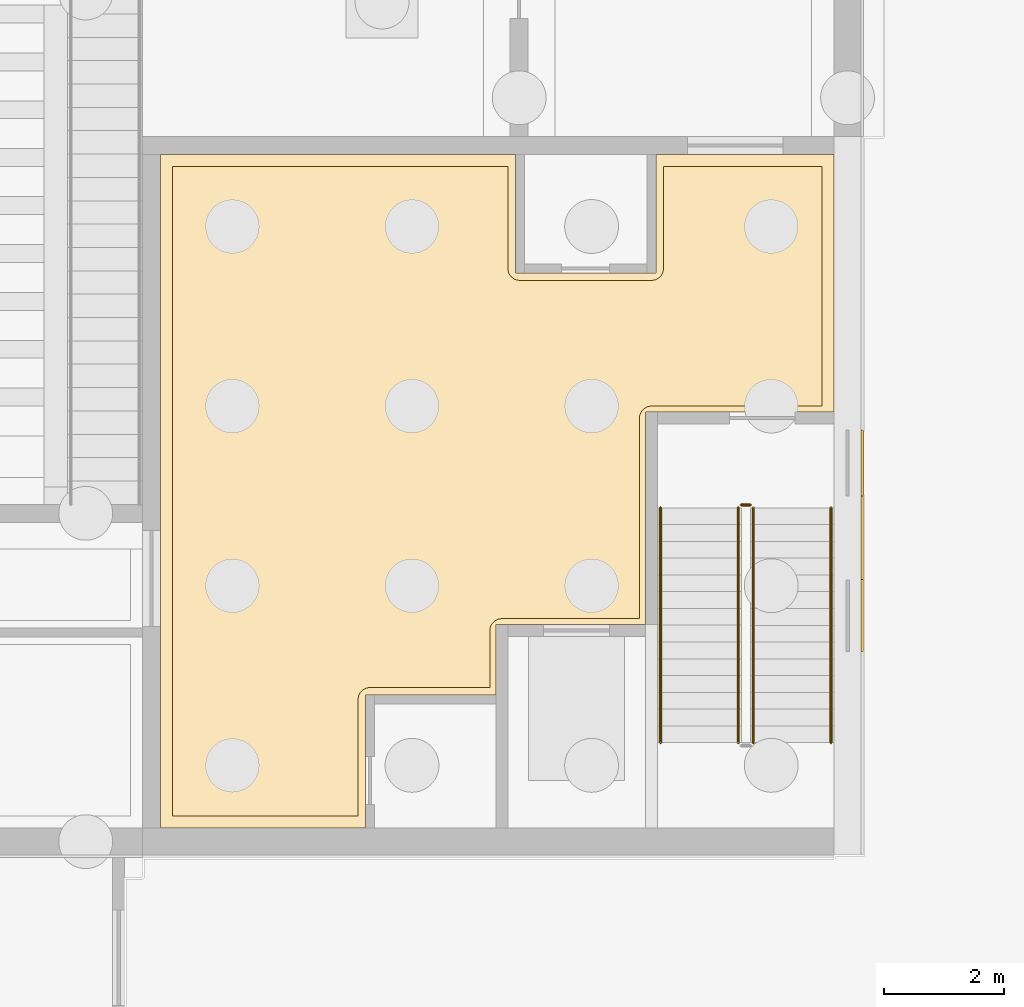
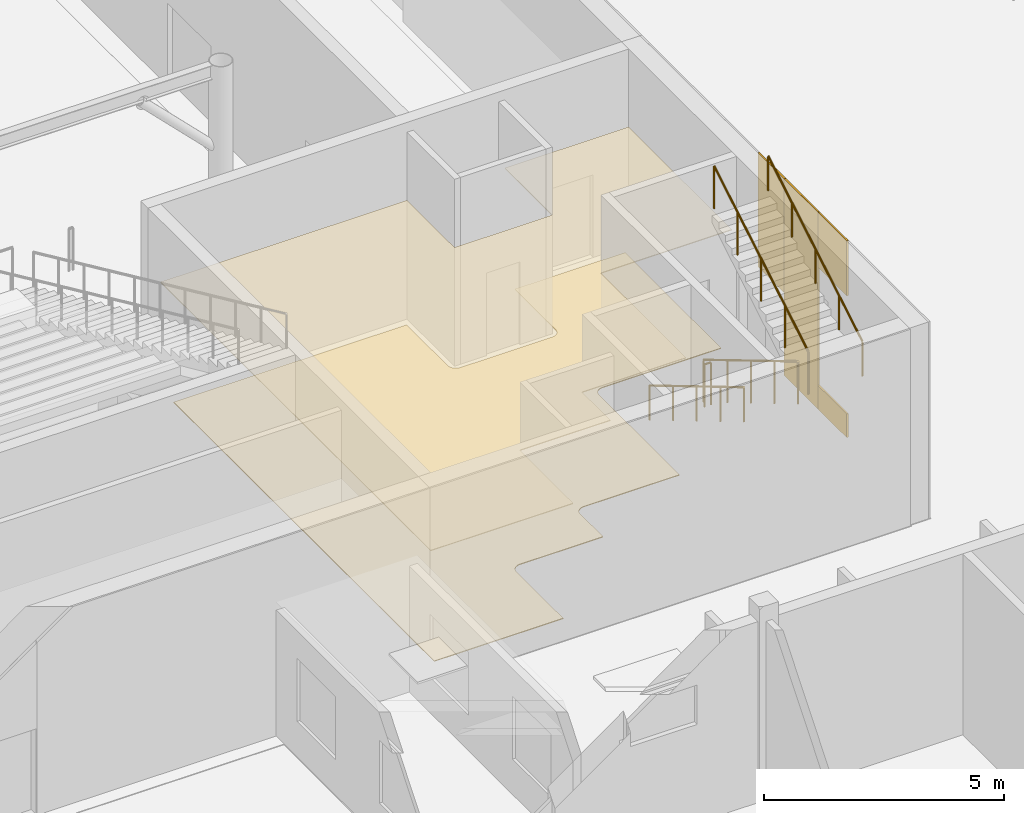
# One storey, part 142 of 157: 6 coverings, 5 railings.
"""IFC4 building model written with IfcOpenShell, lengths in metres."""

from ifc_helpers import new_model, si_unit, direction, frame, origin, origin_2d, place, context, subcontext, project, spatial, polyline, circle, outline, extrude, material, layer, layer_set, type_object, element, save


model = new_model("IFC4")

# Units and contexts
model_context = context("Model", 3, precision=1e-05, world=origin(), true_north=direction((0.0, 1.0)))
body_context = subcontext(model_context, "Body", "Model", "MODEL_VIEW")
ifc_project = project(units=[si_unit("LENGTHUNIT", "METRE"), si_unit("AREAUNIT", "SQUARE_METRE"), si_unit("VOLUMEUNIT", "CUBIC_METRE"), si_unit("PLANEANGLEUNIT", "RADIAN"), si_unit("MASSUNIT", "GRAM", prefix="KILO")], contexts=[model_context])

# Site, building, storey
site_placement = place(None, origin())
site = spatial("IfcSite", under=ifc_project, at=site_placement, CompositionType="ELEMENT")
building_placement = place(site_placement, origin())
building = spatial("IfcBuilding", under=site, at=building_placement, Name="Windward Yard Aquatics Centre", CompositionType="ELEMENT")
storey_placement = place(building_placement, origin())
storey = spatial("IfcBuildingStorey", under=building, at=storey_placement, Name="L00", CompositionType="ELEMENT", Elevation=0.0)

# Covering
ifc_material_1 = material(Name="Polished screed")
ifc_layer_1 = layer(ifc_material_1, 0.0400390625)
ifc_layer_set_1 = layer_set([ifc_layer_1], Name="H Floor Finish Screed 40")
covering_type_1 = type_object("IfcCoveringType", Name="H Floor Finish Screed 40", PredefinedType="FLOORING", material=ifc_layer_set_1)
covering_1_placement = place(storey_placement, origin())
element("IfcCovering", 1, at=covering_1_placement, inside=storey, type_object=covering_type_1, Name="Core Lobby SE floor finish", PredefinedType="FLOORING", context=body_context, shape_type="SweptSolid", body=[
    extrude(outline(polyline([(140.5, 26.64990234375), (140.5, 37.5), (146.10009765625, 37.5), (146.10107421875, 35.780517578125), (146.108642578125, 35.741943359375), (146.115234375, 35.723388671875), (146.1337890625, 35.68896484375), (146.15869140625, 35.65869140625), (146.18896484375, 35.6337890625), (146.223388671875, 35.615234375), (146.260986328125, 35.603759765625), (146.300048828125, 35.60009765625), (148.5, 35.60009765625), (148.51953125, 35.60107421875), (148.55810546875, 35.608642578125), (148.59423828125, 35.62353515625), (148.626953125, 35.6455078125), (148.641357421875, 35.65869140625), (148.666259765625, 35.68896484375), (148.684814453125, 35.723388671875), (148.6962890625, 35.760986328125), (148.699951171875, 35.800048828125), (148.699951171875, 37.5), (151.35009765625, 37.5), (151.35009765625, 33.5), (148.5, 33.5), (148.48046875, 33.4990234375), (148.44189453125, 33.491455078125), (148.40576171875, 33.476318359375), (148.373046875, 33.45458984375), (148.358642578125, 33.44140625), (148.333740234375, 33.4111328125), (148.315185546875, 33.37646484375), (148.3037109375, 33.339111328125), (148.300048828125, 33.300048828125), (148.300048828125, 29.949951171875), (146.0, 29.949951171875), (145.9609375, 29.9462890625), (145.94189453125, 29.94140625), (145.923583984375, 29.934814453125), (145.888916015625, 29.916259765625), (145.858642578125, 29.891357421875), (145.845458984375, 29.876953125), (145.833740234375, 29.861083984375), (145.815185546875, 29.826416015625), (145.80859375, 29.80810546875), (145.801025390625, 29.76953125), (145.800048828125, 28.800048828125), (143.800048828125, 28.800048828125), (143.760986328125, 28.796142578125), (143.741943359375, 28.79150390625), (143.723388671875, 28.784912109375), (143.68896484375, 28.766357421875), (143.65869140625, 28.741455078125), (143.6337890625, 28.711181640625), (143.62353515625, 28.6943359375), (143.608642578125, 28.658203125), (143.60107421875, 28.61962890625), (143.60009765625, 28.60009765625), (143.60009765625, 26.64990234375), (140.5, 26.64990234375)])), origin(), (0.0, 0.0, 1.0), 0.02001953125),
])

# Railings
ifc_material_2 = material(Name="Stainless steel 1.4529", Category="steel")
railing_type_1 = type_object("IfcRailingType", Name="H Guard Steel 1100", PredefinedType="GUARDRAIL", material=ifc_material_2)
railing_1_placement = place(storey_placement, frame((149.949951171875, 31.800048828125, 0.166748046875)))
element("IfcRailing", 2, at=railing_1_placement, inside=storey, type_object=railing_type_1, Name="L00 ST2 stair guard 1", PredefinedType="GUARDRAIL", context=body_context, shape_type="SweptSolid", body=[
    extrude(circle(Radius=0.02392578125, at=origin_2d()), frame((0.0, 0.0, 1.076171875), z_axis=(0.0, -0.859310244771, 0.511454693235), x_axis=(1.0, 0.0, 0.0)), (0.0, 0.0, 1.0), 4.56201171875),
    extrude(circle(Radius=0.02099609375, at=origin_2d()), origin(), (0.0, 0.0, 1.0), 1.052001953125),
    extrude(circle(Radius=0.02099609375, at=origin_2d()), frame((0.0, -0.97998046875, 0.583251953125)), (0.0, 0.0, 1.0), 1.052001953125),
    extrude(circle(Radius=0.02099609375, at=origin_2d()), frame((0.0, -1.9599609375, 1.16650390625)), (0.0, 0.0, 1.0), 1.052001953125),
    extrude(circle(Radius=0.02099609375, at=origin_2d()), frame((0.0, -2.940185546875, 1.75)), (0.0, 0.0, 1.0), 1.052001953125),
    extrude(circle(Radius=0.02099609375, at=origin_2d()), frame((0.0, -3.920166015625, 2.333251953125)), (0.0, 0.0, 1.0), 1.052001953125),
])
railing_2_placement = place(storey_placement, frame((150.199951171875, 27.8798828125, 2.666748046875)))
element("IfcRailing", 3, at=railing_2_placement, inside=storey, type_object=railing_type_1, Name="L00 ST2 stair guard 3", PredefinedType="GUARDRAIL", context=body_context, shape_type="SweptSolid", body=[
    extrude(circle(Radius=0.02392578125, at=origin_2d()), frame((0.0, 0.0, 1.076171875), z_axis=(0.0, 0.859310244771, 0.511454693235), x_axis=(-1.0, 0.0, 0.0)), (0.0, 0.0, 1.0), 4.56201171875),
    extrude(circle(Radius=0.02099609375, at=origin_2d()), origin(), (0.0, 0.0, 1.0), 1.052001953125),
    extrude(circle(Radius=0.02099609375, at=origin_2d()), frame((0.0, 0.97998046875, 0.583251953125)), (0.0, 0.0, 1.0), 1.052001953125),
    extrude(circle(Radius=0.02099609375, at=origin_2d()), frame((0.0, 1.9599609375, 1.16650390625)), (0.0, 0.0, 1.0), 1.052001953125),
    extrude(circle(Radius=0.02099609375, at=origin_2d()), frame((0.0, 2.940185546875, 1.75)), (0.0, 0.0, 1.0), 1.052001953125),
    extrude(circle(Radius=0.02099609375, at=origin_2d()), frame((0.0, 3.920166015625, 2.333251953125)), (0.0, 0.0, 1.0), 1.052001953125),
])
railing_3_placement = place(storey_placement, frame((150.0, 31.85009765625, 0.0)))
element("IfcRailing", 4, at=railing_3_placement, inside=storey, type_object=railing_type_1, Name="L00 ST2 stair guard 4", PredefinedType="GUARDRAIL", context=body_context, shape_type="SweptSolid", body=[
    extrude(circle(Radius=0.02392578125, at=origin_2d()), frame((0.0, 0.0, 1.076171875), z_axis=(1.0, 0.0, 0.0), x_axis=(0.0, 1.0, 0.0)), (0.0, 0.0, 1.0), 0.14990234375),
    extrude(circle(Radius=0.02099609375, at=origin_2d()), origin(), (0.0, 0.0, 1.0), 1.052001953125),
    extrude(circle(Radius=0.02099609375, at=origin_2d()), frame((0.14990234375, 0.0, 0.0)), (0.0, 0.0, 1.0), 1.052001953125),
])
railing_type_2 = type_object("IfcRailingType", Name="H Handrail Steel 900", PredefinedType="HANDRAIL", material=ifc_material_2)
railing_4_placement = place(storey_placement, frame((148.64990234375, 31.800048828125, 0.166748046875)))
element("IfcRailing", 5, at=railing_4_placement, inside=storey, type_object=railing_type_2, Name="L00 ST2 stair handrail 1", PredefinedType="HANDRAIL", context=body_context, shape_type="SweptSolid", body=[
    extrude(circle(Radius=0.02392578125, at=origin_2d()), frame((0.0, 0.0, 0.8759765625), z_axis=(0.0, -0.859310244771, 0.511454693235), x_axis=(1.0, 0.0, 0.0)), (0.0, 0.0, 1.0), 4.56201171875),
    extrude(circle(Radius=0.02099609375, at=origin_2d()), origin(), (0.0, 0.0, 1.0), 0.851806640625),
    extrude(circle(Radius=0.02099609375, at=origin_2d()), frame((0.0, -0.97998046875, 0.583251953125)), (0.0, 0.0, 1.0), 0.851806640625),
    extrude(circle(Radius=0.02099609375, at=origin_2d()), frame((0.0, -1.9599609375, 1.16650390625)), (0.0, 0.0, 1.0), 0.851806640625),
    extrude(circle(Radius=0.02099609375, at=origin_2d()), frame((0.0, -2.940185546875, 1.75)), (0.0, 0.0, 1.0), 0.851806640625),
    extrude(circle(Radius=0.02099609375, at=origin_2d()), frame((0.0, -3.920166015625, 2.333251953125)), (0.0, 0.0, 1.0), 0.851806640625),
])
railing_5_placement = place(storey_placement, frame((151.5, 27.8798828125, 2.666748046875)))
element("IfcRailing", 6, at=railing_5_placement, inside=storey, type_object=railing_type_2, Name="L00 ST2 stair handrail 2", PredefinedType="HANDRAIL", context=body_context, shape_type="SweptSolid", body=[
    extrude(circle(Radius=0.02392578125, at=origin_2d()), frame((0.0, 0.0, 0.8759765625), z_axis=(0.0, 0.859310244771, 0.511454693235), x_axis=(-1.0, 0.0, 0.0)), (0.0, 0.0, 1.0), 4.56201171875),
    extrude(circle(Radius=0.02099609375, at=origin_2d()), origin(), (0.0, 0.0, 1.0), 0.851806640625),
    extrude(circle(Radius=0.02099609375, at=origin_2d()), frame((0.0, 0.97998046875, 0.583251953125)), (0.0, 0.0, 1.0), 0.851806640625),
    extrude(circle(Radius=0.02099609375, at=origin_2d()), frame((0.0, 1.9599609375, 1.16650390625)), (0.0, 0.0, 1.0), 0.851806640625),
    extrude(circle(Radius=0.02099609375, at=origin_2d()), frame((0.0, 2.940185546875, 1.75)), (0.0, 0.0, 1.0), 0.851806640625),
    extrude(circle(Radius=0.02099609375, at=origin_2d()), frame((0.0, 3.920166015625, 2.333251953125)), (0.0, 0.0, 1.0), 0.851806640625),
])

# Coverings
ifc_material_3 = material(Name="Mineral fibre tile")
ifc_layer_2 = layer(ifc_material_3, 0.02001953125)
ifc_layer_set_2 = layer_set([ifc_layer_2], Name="H Suspended Ceiling 600 x 600")
covering_type_2 = type_object("IfcCoveringType", Name="H Suspended Ceiling 600 x 600", PredefinedType="CEILING", material=ifc_layer_set_2)
covering_2_placement = place(storey_placement, frame((0.0, 0.0, 3.0)))
element("IfcCovering", 7, at=covering_2_placement, inside=storey, type_object=covering_type_2, Name="Core Lobby SE ceiling", PredefinedType="CEILING", context=body_context, shape_type="SweptSolid", body=[
    extrude(outline(polyline([(140.300537109375, 26.450439453125), (140.300537109375, 37.699462890625), (146.224609375, 37.699462890625), (146.224609375, 35.72509765625), (146.375, 35.724609375), (148.575439453125, 35.72509765625), (148.575439453125, 37.699462890625), (151.549560546875, 37.699462890625), (151.549560546875, 33.400390625), (148.3994140625, 33.39990234375), (148.3994140625, 29.8505859375), (145.8994140625, 29.85009765625), (145.8994140625, 28.675537109375), (143.724609375, 28.675048828125), (143.724609375, 26.450439453125), (140.300537109375, 26.450439453125)])), origin(), (0.0, 0.0, 1.0), 0.02001953125),
])
ifc_material_4 = material(Name="Natural limestone cladding", Category="masonry")
ifc_layer_3 = layer(ifc_material_4, 0.0400390625)
ifc_layer_set_3 = layer_set([ifc_layer_3], Name="H natural stone cladding 40")
covering_type_3 = type_object("IfcCoveringType", Name="H natural stone cladding 40", PredefinedType="CLADDING", material=ifc_layer_set_3)
covering_3_placement = place(storey_placement, origin())
element("IfcCovering", 8, at=covering_3_placement, inside=storey, type_object=covering_type_3, Name="Stone cladding panel 85", PredefinedType="CLADDING", context=body_context, shape_type="SweptSolid", body=[
    extrude(outline(polyline([(152.0, 29.39990234375), (152.0, 30.60009765625), (152.0400390625, 30.60009765625), (152.0400390625, 29.39990234375), (152.0, 29.39990234375)])), origin(), (0.0, 0.0, 1.0), 0.60009765625),
])
covering_4_placement = place(storey_placement, frame((0.0, 0.0, 3.60009765625)))
element("IfcCovering", 9, at=covering_4_placement, inside=storey, type_object=covering_type_3, Name="Stone cladding panel 86", PredefinedType="CLADDING", context=body_context, shape_type="SweptSolid", body=[
    extrude(outline(polyline([(152.0, 29.39990234375), (152.0, 30.60009765625), (152.0400390625, 30.60009765625), (152.0400390625, 29.39990234375), (152.0, 29.39990234375)])), origin(), (0.0, 0.0, 1.0), 1.39990234375),
])
covering_5_placement = place(storey_placement, origin())
element("IfcCovering", 10, at=covering_5_placement, inside=storey, type_object=covering_type_3, Name="Stone cladding panel 87", PredefinedType="CLADDING", context=body_context, shape_type="SweptSolid", body=[
    extrude(outline(polyline([(152.0, 30.60009765625), (152.0, 32.0), (152.0400390625, 32.0), (152.0400390625, 30.60009765625), (152.0, 30.60009765625)])), origin(), (0.0, 0.0, 1.0), 5.0),
])
covering_6_placement = place(storey_placement, frame((0.0, 0.0, 2.10009765625)))
element("IfcCovering", 11, at=covering_6_placement, inside=storey, type_object=covering_type_3, Name="Stone cladding panel 88", PredefinedType="CLADDING", context=body_context, shape_type="SweptSolid", body=[
    extrude(outline(polyline([(152.0, 32.0), (152.0, 33.10009765625), (152.0400390625, 33.10009765625), (152.0400390625, 32.0), (152.0, 32.0)])), origin(), (0.0, 0.0, 1.0), 2.89990234375),
])

save(model, "model.ifc")
